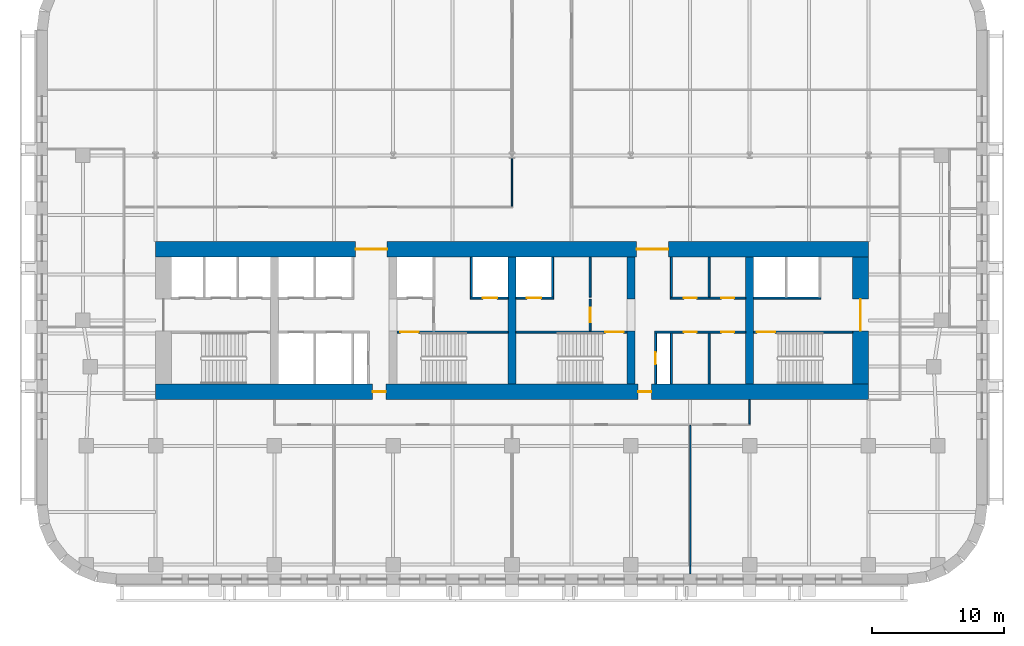
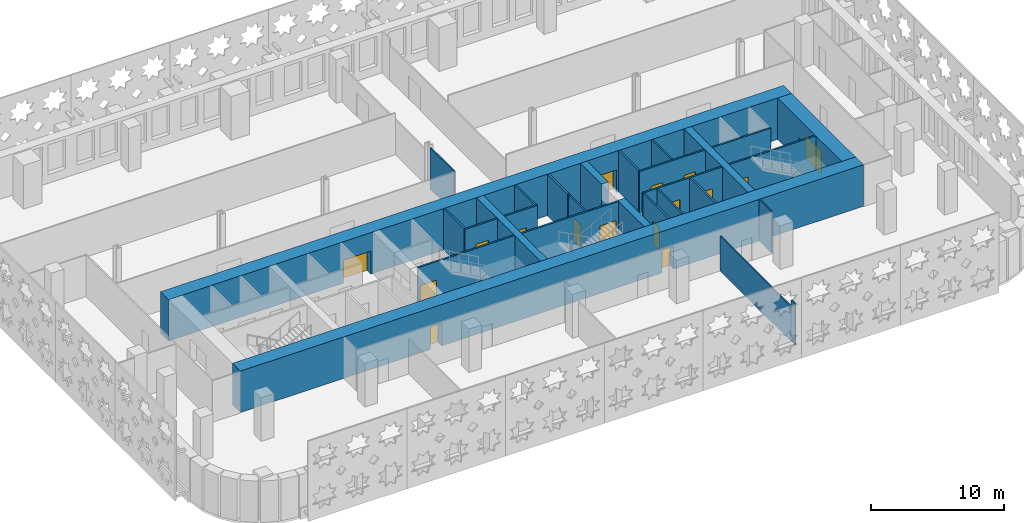
# One storey, part 6 of 15: 28 walls, 16 doors, 16 openings.
"""IFC4 building model written with IfcOpenShell, lengths in metres."""

from ifc_helpers import new_model, si_unit, direction, frame, frame_2d, origin, place, context, subcontext, project, spatial, rectangle, extrude, material, layer, layer_set, type_object, element, fill, save


model = new_model("IFC4")

# Units and contexts
model_context = context("Model", 3, precision=1e-05, world=origin(), true_north=direction((0.0, 1.0)))
body_context = subcontext(model_context, "Body", "Model", "MODEL_VIEW")
ifc_project = project(units=[si_unit("LENGTHUNIT", "METRE"), si_unit("AREAUNIT", "SQUARE_METRE"), si_unit("VOLUMEUNIT", "CUBIC_METRE"), si_unit("PLANEANGLEUNIT", "RADIAN"), si_unit("MASSUNIT", "GRAM", prefix="KILO")], contexts=[model_context])

# Site, building, storey
site_placement = place(None, origin())
site = spatial("IfcSite", under=ifc_project, at=site_placement, CompositionType="ELEMENT")
building_placement = place(site_placement, origin())
building = spatial("IfcBuilding", under=site, at=building_placement, Name="Zellij Exchange Tower", CompositionType="ELEMENT")
storey_placement = place(building_placement, frame((0.0, 0.0, 84.5)))
storey = spatial("IfcBuildingStorey", under=building, at=storey_placement, Name="L17", CompositionType="ELEMENT", Elevation=84.5)

# Walls
ifc_material_1 = material(Name="Concrete C70/85", Category="concrete")
ifc_layer_1 = layer(ifc_material_1, 0.60009765625)
ifc_layer_set_1 = layer_set([ifc_layer_1], Name="Concrete C70/85")
wall_type_1 = type_object("IfcWallType", Name="CORE-CW 600 C70/85", PredefinedType="SHEAR", material=ifc_layer_set_1)
wall_1_placement = place(storey_placement, frame((0.0, -12.800048828125, 0.0), z_axis=(0.0, 0.0, 1.0), x_axis=(0.0, 1.0, 0.0)))
element("IfcWall", 1, at=wall_1_placement, inside=storey, type_object=wall_type_1, Name="Core cross wall x 0 L17", PredefinedType="SHEAR", context=body_context, shape_type="SweptSolid", body=[
    extrude(rectangle(XDim=9.60009765625, YDim=0.60009765625, at=frame_2d((4.800048828125, 0.0))), origin(), (0.0, 0.0, 1.0), 3.800048828125),
])
wall_2_placement = place(storey_placement, frame((9.0, -12.800048828125, 0.0), z_axis=(0.0, 0.0, 1.0), x_axis=(0.0, 1.0, 0.0)))
element("IfcWall", 2, at=wall_2_placement, inside=storey, type_object=wall_type_1, Name="Core cross wall pier x 9 a L17", PredefinedType="SHEAR", context=body_context, shape_type="SweptSolid", body=[
    extrude(rectangle(XDim=4.0, YDim=0.60009765625, at=frame_2d((2.0, 0.0))), origin(), (0.0, 0.0, 1.0), 3.800048828125),
])
wall_3_placement = place(storey_placement, frame((9.0, -6.375, 0.0), z_axis=(0.0, 0.0, 1.0), x_axis=(0.0, 1.0, 0.0)))
element("IfcWall", 3, at=wall_3_placement, inside=storey, type_object=wall_type_1, Name="Core cross wall pier x 9 b L17", PredefinedType="SHEAR", context=body_context, shape_type="SweptSolid", body=[
    extrude(rectangle(XDim=3.175048828125, YDim=0.60009765625, at=frame_2d((1.58740234375, 0.0))), origin(), (0.0, 0.0, 1.0), 3.800048828125),
])
wall_4_placement = place(storey_placement, frame((18.0, -12.800048828125, 0.0), z_axis=(0.0, 0.0, 1.0), x_axis=(0.0, 1.0, 0.0)))
element("IfcWall", 4, at=wall_4_placement, inside=storey, type_object=wall_type_1, Name="Core cross wall x 18 L17", PredefinedType="SHEAR", context=body_context, shape_type="SweptSolid", body=[
    extrude(rectangle(XDim=9.60009765625, YDim=0.60009765625, at=frame_2d((4.800048828125, 0.0))), origin(), (0.0, 0.0, 1.0), 3.800048828125),
])

# Wall, opening, door
ifc_material_2 = material(Name="Gypsum shaft wall system")
ifc_layer_2 = layer(ifc_material_2, 0.14990234375)
ifc_layer_set_2 = layer_set([ifc_layer_2], Name="Gypsum shaft wall system")
wall_type_2 = type_object("IfcWallType", Name="CORE-PW 150 Firefighting lobby wall", PredefinedType="PARTITIONING", material=ifc_layer_set_2)
wall_5_placement = place(storey_placement, frame((5.925048828125, -8.800048828125, 0.0), z_axis=(0.0, 0.0, 1.0), x_axis=(0.0, 1.0, 0.0)))
wall_5 = element("IfcWall", 5, at=wall_5_placement, inside=storey, type_object=wall_type_2, Name="Firefighting lobby wall L17", PredefinedType="PARTITIONING", context=body_context, shape_type="SweptSolid", body=[
    extrude(rectangle(XDim=2.425048828125, YDim=0.14990234375, at=frame_2d((1.21240234375, 0.0))), origin(), (0.0, 0.0, 1.0), 3.800048828125),
])
opening_1_placement = place(wall_5_placement, frame((0.662109375, 0.0, 0.0)))
opening_1 = element("IfcOpeningElement", 6, at=opening_1_placement, cuts=wall_5, Name="Opening CA-09.18", PredefinedType="OPENING", context=body_context, shape_type="SweptSolid", body=[
    extrude(rectangle(XDim=1.10009765625, YDim=2.10009765625, at=frame_2d((0.550048828125, 1.050048828125))), frame((0.0, 0.0869140625, 0.0), z_axis=(0.0, -1.0, 0.0), x_axis=(1.0, 0.0, 0.0)), (0.0, 0.0, 1.0), 0.173828125),
])
ifc_material_3 = material(Name="Hollow metal fire door")
door_type_1 = type_object("IfcDoorType", Name="CORE-D F Firefighting lobby door 1100x2100 1 HR", OperationType="NOTDEFINED", PredefinedType="DOOR", material=ifc_material_3)
door_1_placement = place(opening_1_placement, origin())
door_1 = element("IfcDoor", 7, at=door_1_placement, inside=storey, type_object=door_type_1, Name="Firefighting lobby door CA-09.18", OperationType="SINGLE_SWING_RIGHT", OverallHeight=2.10009765625, OverallWidth=1.10009765625, PredefinedType="DOOR", context=body_context, shape_type="SweptSolid", body=[
    extrude(rectangle(XDim=1.10009765625, YDim=2.10009765625, at=frame_2d((0.550048828125, 1.050048828125))), frame((0.0, 0.02490234375, 0.0), z_axis=(0.0, -1.0, 0.0), x_axis=(1.0, 0.0, 0.0)), (0.0, 0.0, 1.0), 0.050048828125),
])
fill(opening_1, door_1)

# Walls
ifc_material_4 = material(Name="Gypsum board partition")
ifc_layer_3 = layer(ifc_material_4, 0.14990234375)
ifc_layer_set_3 = layer_set([ifc_layer_3], Name="Gypsum board partition")
wall_type_3 = type_object("IfcWallType", Name="CORE-PW 150 Lift lobby wall", PredefinedType="PARTITIONING", material=ifc_layer_set_3)
for number, where, z_axis, x_axis, name in (
    (8, (5.925048828125, -6.22509765625, 0.0), (0.0, 0.0, 1.0), (0.0, 1.0, 0.0), "Lift lobby wall L17"),
    (9, (12.074951171875, -6.22509765625, 0.0), (0.0, 0.0, 1.0), (0.0, 1.0, 0.0), "Lift lobby wall L17"),
    (10, (14.925048828125, -6.22509765625, 0.0), (0.0, 0.0, 1.0), (0.0, 1.0, 0.0), "Lift lobby wall L17"),
):
    element("IfcWall", number, at=place(storey_placement, frame(where, z_axis=z_axis, x_axis=x_axis)), inside=storey, type_object=wall_type_3, Name=name, PredefinedType="PARTITIONING", context=body_context, shape_type="SweptSolid", body=[
        extrude(rectangle(XDim=3.025146484375, YDim=0.14990234375, at=frame_2d((1.5126953125, 0.0))), origin(), (0.0, 0.0, 1.0), 3.800048828125),
    ])

# Wall, opening, door
wall_6_placement = place(storey_placement, frame((10.875, -12.800048828125, 0.0), z_axis=(0.0, 0.0, 1.0), x_axis=(0.0, 1.0, 0.0)))
wall_6 = element("IfcWall", 11, at=wall_6_placement, inside=storey, type_object=wall_type_3, Name="Lift lobby wall L17", PredefinedType="PARTITIONING", context=body_context, shape_type="SweptSolid", body=[
    extrude(rectangle(XDim=3.85009765625, YDim=0.14990234375, at=frame_2d((1.925048828125, 0.0))), origin(), (0.0, 0.0, 1.0), 3.800048828125),
])
opening_2_placement = place(wall_6_placement, frame((1.47509765625, 0.0, 0.0)))
opening_2 = element("IfcOpeningElement", 12, at=opening_2_placement, cuts=wall_6, Name="Opening CA-09.22", PredefinedType="OPENING", context=body_context, shape_type="SweptSolid", body=[
    extrude(rectangle(XDim=0.89990234375, YDim=2.10009765625, at=frame_2d((0.449951171875, 1.050048828125))), frame((0.0, 0.0869140625, 0.0), z_axis=(0.0, -1.0, 0.0), x_axis=(1.0, 0.0, 0.0)), (0.0, 0.0, 1.0), 0.173828125),
])
door_type_2 = type_object("IfcDoorType", Name="CORE-D RD Riser door 900x2100 1.5 HR", OperationType="NOTDEFINED", PredefinedType="DOOR", material=ifc_material_3)
door_2_placement = place(opening_2_placement, origin())
door_2 = element("IfcDoor", 13, at=door_2_placement, inside=storey, type_object=door_type_2, Name="Riser door CA-09.22", OperationType="SINGLE_SWING_LEFT", OverallHeight=2.10009765625, OverallWidth=0.89990234375, PredefinedType="DOOR", context=body_context, shape_type="SweptSolid", body=[
    extrude(rectangle(XDim=0.89990234375, YDim=2.10009765625, at=frame_2d((0.449951171875, 1.050048828125))), frame((0.0, 0.02490234375, 0.0), z_axis=(0.0, -1.0, 0.0), x_axis=(1.0, 0.0, 0.0)), (0.0, 0.0, 1.0), 0.050048828125),
])
fill(opening_2, door_2)

# Walls
for number, where, z_axis, x_axis, name in (
    (14, (12.074951171875, -12.800048828125, 0.0), (0.0, 0.0, 1.0), (0.0, 1.0, 0.0), "Lift lobby wall L17"),
    (15, (14.925048828125, -12.800048828125, 0.0), (0.0, 0.0, 1.0), (0.0, 1.0, 0.0), "Lift lobby wall L17"),
):
    element("IfcWall", number, at=place(storey_placement, frame(where, z_axis=z_axis, x_axis=x_axis)), inside=storey, type_object=wall_type_3, Name=name, PredefinedType="PARTITIONING", context=body_context, shape_type="SweptSolid", body=[
        extrude(rectangle(XDim=3.85009765625, YDim=0.14990234375, at=frame_2d((1.925048828125, 0.0))), origin(), (0.0, 0.0, 1.0), 3.800048828125),
    ])

# Wall, openings, doors
wall_7_placement = place(storey_placement, frame((12.0, -6.300048828125, 0.0), z_axis=(0.0, 0.0, 1.0), x_axis=(1.0, 0.0, 0.0)))
wall_7 = element("IfcWall", 16, at=wall_7_placement, inside=storey, type_object=wall_type_3, Name="Lift lobby wall L17", PredefinedType="PARTITIONING", context=body_context, shape_type="SweptSolid", body=[
    extrude(rectangle(XDim=5.699951171875, YDim=0.14990234375, at=frame_2d((2.85009765625, 0.0))), origin(), (0.0, 0.0, 1.0), 3.800048828125),
])
opening_3_placement = place(wall_7_placement, frame((1.0, 0.0, 0.0)))
opening_3 = element("IfcOpeningElement", 17, at=opening_3_placement, cuts=wall_7, Name="Opening CA-09.24", PredefinedType="OPENING", context=body_context, shape_type="SweptSolid", body=[
    extrude(rectangle(XDim=1.0, YDim=2.10009765625, at=frame_2d((0.5, 1.050048828125))), frame((0.0, 0.0869140625, 0.0), z_axis=(0.0, -1.0, 0.0), x_axis=(1.0, 0.0, 0.0)), (0.0, 0.0, 1.0), 0.173828125),
])
opening_4_placement = place(wall_7_placement, frame((3.85009765625, 0.0, 0.0)))
opening_4 = element("IfcOpeningElement", 18, at=opening_4_placement, cuts=wall_7, Name="Opening CA-09.26", PredefinedType="OPENING", context=body_context, shape_type="SweptSolid", body=[
    extrude(rectangle(XDim=1.0, YDim=2.10009765625, at=frame_2d((0.5, 1.050048828125))), frame((0.0, 0.0869140625, 0.0), z_axis=(0.0, -1.0, 0.0), x_axis=(1.0, 0.0, 0.0)), (0.0, 0.0, 1.0), 0.173828125),
])
door_type_3 = type_object("IfcDoorType", Name="CORE-D CD Core room door 1000x2100 1 HR", OperationType="NOTDEFINED", PredefinedType="DOOR", material=ifc_material_3)
door_3_placement = place(opening_3_placement, origin())
door_3 = element("IfcDoor", 19, at=door_3_placement, inside=storey, type_object=door_type_3, Name="Core room door CA-09.24", OperationType="SINGLE_SWING_LEFT", OverallHeight=2.10009765625, OverallWidth=1.0, PredefinedType="DOOR", context=body_context, shape_type="SweptSolid", body=[
    extrude(rectangle(XDim=1.0, YDim=2.10009765625, at=frame_2d((0.5, 1.050048828125))), frame((0.0, 0.02490234375, 0.0), z_axis=(0.0, -1.0, 0.0), x_axis=(1.0, 0.0, 0.0)), (0.0, 0.0, 1.0), 0.050048828125),
])
fill(opening_3, door_3)
door_4_placement = place(opening_4_placement, origin())
door_4 = element("IfcDoor", 20, at=door_4_placement, inside=storey, type_object=door_type_3, Name="Core room door CA-09.26", OperationType="SINGLE_SWING_RIGHT", OverallHeight=2.10009765625, OverallWidth=1.0, PredefinedType="DOOR", context=body_context, shape_type="SweptSolid", body=[
    extrude(rectangle(XDim=1.0, YDim=2.10009765625, at=frame_2d((0.5, 1.050048828125))), frame((0.0, 0.02490234375, 0.0), z_axis=(0.0, -1.0, 0.0), x_axis=(1.0, 0.0, 0.0)), (0.0, 0.0, 1.0), 0.050048828125),
])
fill(opening_4, door_4)

wall_8_placement = place(storey_placement, frame((10.800048828125, -8.875, 0.0), z_axis=(0.0, 0.0, 1.0), x_axis=(1.0, 0.0, 0.0)))
wall_8 = element("IfcWall", 21, at=wall_8_placement, inside=storey, type_object=wall_type_3, Name="Lift lobby wall L17", PredefinedType="PARTITIONING", context=body_context, shape_type="SweptSolid", body=[
    extrude(rectangle(XDim=6.89990234375, YDim=0.14990234375, at=frame_2d((3.449951171875, 0.0))), origin(), (0.0, 0.0, 1.0), 3.800048828125),
])
opening_5_placement = place(wall_8_placement, frame((2.199951171875, 0.0, 0.0)))
opening_5 = element("IfcOpeningElement", 22, at=opening_5_placement, cuts=wall_8, Name="Opening CA-09.23", PredefinedType="OPENING", context=body_context, shape_type="SweptSolid", body=[
    extrude(rectangle(XDim=1.0, YDim=2.10009765625, at=frame_2d((0.5, 1.050048828125))), frame((0.0, 0.0869140625, 0.0), z_axis=(0.0, -1.0, 0.0), x_axis=(1.0, 0.0, 0.0)), (0.0, 0.0, 1.0), 0.173828125),
])
opening_6_placement = place(wall_8_placement, frame((5.050048828125, 0.0, 0.0)))
opening_6 = element("IfcOpeningElement", 23, at=opening_6_placement, cuts=wall_8, Name="Opening CA-09.25", PredefinedType="OPENING", context=body_context, shape_type="SweptSolid", body=[
    extrude(rectangle(XDim=1.0, YDim=2.10009765625, at=frame_2d((0.5, 1.050048828125))), frame((0.0, 0.0869140625, 0.0), z_axis=(0.0, -1.0, 0.0), x_axis=(1.0, 0.0, 0.0)), (0.0, 0.0, 1.0), 0.173828125),
])
door_5_placement = place(opening_6_placement, origin())
door_5 = element("IfcDoor", 24, at=door_5_placement, inside=storey, type_object=door_type_3, Name="Core room door CA-09.25", OperationType="SINGLE_SWING_LEFT", OverallHeight=2.10009765625, OverallWidth=1.0, PredefinedType="DOOR", context=body_context, shape_type="SweptSolid", body=[
    extrude(rectangle(XDim=1.0, YDim=2.10009765625, at=frame_2d((0.5, 1.050048828125))), frame((0.0, 0.02490234375, 0.0), z_axis=(0.0, -1.0, 0.0), x_axis=(1.0, 0.0, 0.0)), (0.0, 0.0, 1.0), 0.050048828125),
])
fill(opening_6, door_5)
door_type_4 = type_object("IfcDoorType", Name="CORE-D CDA Core room door 1000x2100 1.5 HR", OperationType="NOTDEFINED", PredefinedType="DOOR", material=ifc_material_3)
door_6_placement = place(opening_5_placement, origin())
door_6 = element("IfcDoor", 25, at=door_6_placement, inside=storey, type_object=door_type_4, Name="Core room door CA-09.23", OperationType="SINGLE_SWING_RIGHT", OverallHeight=2.10009765625, OverallWidth=1.0, PredefinedType="DOOR", context=body_context, shape_type="SweptSolid", body=[
    extrude(rectangle(XDim=1.0, YDim=2.10009765625, at=frame_2d((0.5, 1.050048828125))), frame((0.0, 0.02490234375, 0.0), z_axis=(0.0, -1.0, 0.0), x_axis=(1.0, 0.0, 0.0)), (0.0, 0.0, 1.0), 0.050048828125),
])
fill(opening_5, door_6)

# Walls
ifc_layer_4 = layer(ifc_material_2, 0.14990234375)
ifc_layer_set_4 = layer_set([ifc_layer_4], Name="Gypsum shaft wall system")
wall_type_4 = type_object("IfcWallType", Name="CORE-PW 150 Lift shaft wall", PredefinedType="PARTITIONING", material=ifc_layer_set_4)
for number, where, z_axis, x_axis, name in (
    (26, (-3.074951171875, -6.22509765625, 0.0), (0.0, 0.0, 1.0), (0.0, 1.0, 0.0), "Lift shaft wall L17"),
    (27, (3.074951171875, -6.22509765625, 0.0), (0.0, 0.0, 1.0), (0.0, 1.0, 0.0), "Lift shaft wall L17"),
):
    element("IfcWall", number, at=place(storey_placement, frame(where, z_axis=z_axis, x_axis=x_axis)), inside=storey, type_object=wall_type_4, Name=name, PredefinedType="PARTITIONING", context=body_context, shape_type="SweptSolid", body=[
        extrude(rectangle(XDim=3.025146484375, YDim=0.14990234375, at=frame_2d((1.5126953125, 0.0))), origin(), (0.0, 0.0, 1.0), 3.800048828125),
    ])

# Wall, opening, door
wall_9_placement = place(storey_placement, frame((-3.14990234375, -6.300048828125, 0.0), z_axis=(0.0, 0.0, 1.0), x_axis=(1.0, 0.0, 0.0)))
wall_9 = element("IfcWall", 28, at=wall_9_placement, inside=storey, type_object=wall_type_4, Name="Lift shaft wall L17", PredefinedType="PARTITIONING", context=body_context, shape_type="SweptSolid", body=[
    extrude(rectangle(XDim=2.849853515625, YDim=0.14990234375, at=frame_2d((1.4248046875, 0.0))), origin(), (0.0, 0.0, 1.0), 3.800048828125),
])
opening_7_placement = place(wall_9_placement, frame((0.949951171875, 0.0, 0.0)))
opening_7 = element("IfcOpeningElement", 29, at=opening_7_placement, cuts=wall_9, Name="Opening CA-09.16", PredefinedType="OPENING", context=body_context, shape_type="SweptSolid", body=[
    extrude(rectangle(XDim=1.10009765625, YDim=2.10009765625, at=frame_2d((0.550048828125, 1.050048828125))), frame((0.0, 0.0869140625, 0.0), z_axis=(0.0, -1.0, 0.0), x_axis=(1.0, 0.0, 0.0)), (0.0, 0.0, 1.0), 0.173828125),
])
door_type_5 = type_object("IfcDoorType", Name="CORE-D LD Lift landing door 1100x2100 1.5 HR", OperationType="NOTDEFINED", PredefinedType="DOOR", material=ifc_material_3)
door_7_placement = place(opening_7_placement, origin())
door_7 = element("IfcDoor", 30, at=door_7_placement, inside=storey, type_object=door_type_5, Name="Lift landing door CA-09.16", OperationType="SLIDING_TO_RIGHT", OverallHeight=2.10009765625, OverallWidth=1.10009765625, PredefinedType="DOOR", context=body_context, shape_type="SweptSolid", body=[
    extrude(rectangle(XDim=1.10009765625, YDim=2.10009765625, at=frame_2d((0.550048828125, 1.050048828125))), frame((0.0, 0.02490234375, 0.0), z_axis=(0.0, -1.0, 0.0), x_axis=(1.0, 0.0, 0.0)), (0.0, 0.0, 1.0), 0.050048828125),
])
fill(opening_7, door_7)

wall_10_placement = place(storey_placement, frame((0.300048828125, -6.300048828125, 0.0), z_axis=(0.0, 0.0, 1.0), x_axis=(1.0, 0.0, 0.0)))
wall_10 = element("IfcWall", 31, at=wall_10_placement, inside=storey, type_object=wall_type_4, Name="Lift shaft wall L17", PredefinedType="PARTITIONING", context=body_context, shape_type="SweptSolid", body=[
    extrude(rectangle(XDim=2.849853515625, YDim=0.14990234375, at=frame_2d((1.4248046875, 0.0))), origin(), (0.0, 0.0, 1.0), 3.800048828125),
])
opening_8_placement = place(wall_10_placement, frame((0.800048828125, 0.0, 0.0)))
opening_8 = element("IfcOpeningElement", 32, at=opening_8_placement, cuts=wall_10, Name="Opening CA-09.17", PredefinedType="OPENING", context=body_context, shape_type="SweptSolid", body=[
    extrude(rectangle(XDim=1.10009765625, YDim=2.10009765625, at=frame_2d((0.550048828125, 1.050048828125))), frame((0.0, 0.0869140625, 0.0), z_axis=(0.0, -1.0, 0.0), x_axis=(1.0, 0.0, 0.0)), (0.0, 0.0, 1.0), 0.173828125),
])
door_8_placement = place(opening_8_placement, origin())
door_8 = element("IfcDoor", 33, at=door_8_placement, inside=storey, type_object=door_type_5, Name="Lift landing door CA-09.17", OperationType="SLIDING_TO_LEFT", OverallHeight=2.10009765625, OverallWidth=1.10009765625, PredefinedType="DOOR", context=body_context, shape_type="SweptSolid", body=[
    extrude(rectangle(XDim=1.10009765625, YDim=2.10009765625, at=frame_2d((0.550048828125, 1.050048828125))), frame((0.0, 0.02490234375, 0.0), z_axis=(0.0, -1.0, 0.0), x_axis=(1.0, 0.0, 0.0)), (0.0, 0.0, 1.0), 0.050048828125),
])
fill(opening_8, door_8)

# Wall
wall_11_placement = place(storey_placement, frame((18.300048828125, -6.300048828125, 0.0), z_axis=(0.0, 0.0, 1.0), x_axis=(1.0, 0.0, 0.0)))
element("IfcWall", 34, at=wall_11_placement, inside=storey, type_object=wall_type_4, Name="Lift shaft wall L17", PredefinedType="PARTITIONING", context=body_context, shape_type="SweptSolid", body=[
    extrude(rectangle(XDim=5.099853515625, YDim=0.14990234375, at=frame_2d((2.5498046875, 0.0))), origin(), (0.0, 0.0, 1.0), 3.800048828125),
])

# Wall, openings, doors
ifc_layer_5 = layer(ifc_material_1, 1.199951171875)
ifc_layer_set_5 = layer_set([ifc_layer_5], Name="Concrete C70/85")
wall_type_5 = type_object("IfcWallType", Name="CORE-SW 1200 C70/85", PredefinedType="SHEAR", material=ifc_layer_set_5)
wall_12_placement = place(storey_placement, frame((-27.0, -2.60009765625, 0.0), z_axis=(0.0, 0.0, 1.0), x_axis=(1.0, 0.0, 0.0)))
wall_12 = element("IfcWall", 35, at=wall_12_placement, inside=storey, type_object=wall_type_5, Name="Core shear wall front L17", PredefinedType="SHEAR", context=body_context, shape_type="SweptSolid", body=[
    extrude(rectangle(XDim=54.0, YDim=1.199951171875, at=frame_2d((27.0, 0.0))), origin(), (0.0, 0.0, 1.0), 3.800048828125),
])
opening_9_placement = place(wall_12_placement, frame((15.14990234375, 0.0, 0.0)))
opening_9 = element("IfcOpeningElement", 36, at=opening_9_placement, cuts=wall_12, Name="Opening CA-09.11", PredefinedType="OPENING", context=body_context, shape_type="SweptSolid", body=[
    extrude(rectangle(XDim=2.39990234375, YDim=2.10009765625, at=frame_2d((1.199951171875, 1.050048828125))), frame((0.0, 0.61181640625, 0.0), z_axis=(0.0, -1.0, 0.0), x_axis=(1.0, 0.0, 0.0)), (0.0, 0.0, 1.0), 1.223876953125),
])
opening_10_placement = place(wall_12_placement, frame((36.449951171875, 0.0, 0.0)))
opening_10 = element("IfcOpeningElement", 37, at=opening_10_placement, cuts=wall_12, Name="Opening CA-09.21", PredefinedType="OPENING", context=body_context, shape_type="SweptSolid", body=[
    extrude(rectangle(XDim=2.39990234375, YDim=2.10009765625, at=frame_2d((1.199951171875, 1.050048828125))), frame((0.0, 0.61181640625, 0.0), z_axis=(0.0, -1.0, 0.0), x_axis=(1.0, 0.0, 0.0)), (0.0, 0.0, 1.0), 1.223876953125),
])
door_type_6 = type_object("IfcDoorType", Name="CORE-D CE Core entrance door 2400x2100 20 MIN", OperationType="NOTDEFINED", PredefinedType="DOOR", material=ifc_material_3)
door_9_placement = place(opening_9_placement, origin())
door_9 = element("IfcDoor", 38, at=door_9_placement, inside=storey, type_object=door_type_6, Name="Core entrance door CA-09.11", OperationType="DOUBLE_DOOR_SINGLE_SWING", OverallHeight=2.10009765625, OverallWidth=2.39990234375, PredefinedType="DOOR", context=body_context, shape_type="SweptSolid", body=[
    extrude(rectangle(XDim=2.39990234375, YDim=2.10009765625, at=frame_2d((1.199951171875, 1.050048828125))), frame((0.0, 0.02490234375, 0.0), z_axis=(0.0, -1.0, 0.0), x_axis=(1.0, 0.0, 0.0)), (0.0, 0.0, 1.0), 0.050048828125),
])
fill(opening_9, door_9)
door_10_placement = place(opening_10_placement, origin())
door_10 = element("IfcDoor", 39, at=door_10_placement, inside=storey, type_object=door_type_6, Name="Core entrance door CA-09.21", OperationType="DOUBLE_DOOR_SINGLE_SWING", OverallHeight=2.10009765625, OverallWidth=2.39990234375, PredefinedType="DOOR", context=body_context, shape_type="SweptSolid", body=[
    extrude(rectangle(XDim=2.39990234375, YDim=2.10009765625, at=frame_2d((1.199951171875, 1.050048828125))), frame((0.0, 0.02490234375, 0.0), z_axis=(0.0, -1.0, 0.0), x_axis=(1.0, 0.0, 0.0)), (0.0, 0.0, 1.0), 0.050048828125),
])
fill(opening_10, door_10)

wall_13_placement = place(storey_placement, frame((-27.0, -13.39990234375, 0.0), z_axis=(0.0, 0.0, 1.0), x_axis=(1.0, 0.0, 0.0)))
wall_13 = element("IfcWall", 40, at=wall_13_placement, inside=storey, type_object=wall_type_5, Name="Core shear wall rear L17", PredefinedType="SHEAR", context=body_context, shape_type="SweptSolid", body=[
    extrude(rectangle(XDim=54.0, YDim=1.199951171875, at=frame_2d((27.0, 0.0))), origin(), (0.0, 0.0, 1.0), 3.800048828125),
])
opening_11_placement = place(wall_13_placement, frame((16.449951171875, 0.0, 0.0)))
opening_11 = element("IfcOpeningElement", 41, at=opening_11_placement, cuts=wall_13, Name="Opening CA-09.12", PredefinedType="OPENING", context=body_context, shape_type="SweptSolid", body=[
    extrude(rectangle(XDim=1.0, YDim=2.10009765625, at=frame_2d((0.5, 1.050048828125))), frame((0.0, 0.61181640625, 0.0), z_axis=(0.0, -1.0, 0.0), x_axis=(1.0, 0.0, 0.0)), (0.0, 0.0, 1.0), 1.223876953125),
])
opening_12_placement = place(wall_13_placement, frame((36.550048828125, 0.0, 0.0)))
opening_12 = element("IfcOpeningElement", 42, at=opening_12_placement, cuts=wall_13, Name="Opening CA-09.20", PredefinedType="OPENING", context=body_context, shape_type="SweptSolid", body=[
    extrude(rectangle(XDim=1.0, YDim=2.10009765625, at=frame_2d((0.5, 1.050048828125))), frame((0.0, 0.61181640625, 0.0), z_axis=(0.0, -1.0, 0.0), x_axis=(1.0, 0.0, 0.0)), (0.0, 0.0, 1.0), 1.223876953125),
])
door_type_7 = type_object("IfcDoorType", Name="CORE-D CR Core rear door 1000x2100 20 MIN", OperationType="NOTDEFINED", PredefinedType="DOOR", material=ifc_material_3)
door_11_placement = place(opening_11_placement, origin())
door_11 = element("IfcDoor", 43, at=door_11_placement, inside=storey, type_object=door_type_7, Name="Core rear door CA-09.12", OperationType="SINGLE_SWING_RIGHT", OverallHeight=2.10009765625, OverallWidth=1.0, PredefinedType="DOOR", context=body_context, shape_type="SweptSolid", body=[
    extrude(rectangle(XDim=1.0, YDim=2.10009765625, at=frame_2d((0.5, 1.050048828125))), frame((0.0, 0.02490234375, 0.0), z_axis=(0.0, -1.0, 0.0), x_axis=(1.0, 0.0, 0.0)), (0.0, 0.0, 1.0), 0.050048828125),
])
fill(opening_11, door_11)
door_12_placement = place(opening_12_placement, origin())
door_12 = element("IfcDoor", 44, at=door_12_placement, inside=storey, type_object=door_type_7, Name="Core rear door CA-09.20", OperationType="SINGLE_SWING_LEFT", OverallHeight=2.10009765625, OverallWidth=1.0, PredefinedType="DOOR", context=body_context, shape_type="SweptSolid", body=[
    extrude(rectangle(XDim=1.0, YDim=2.10009765625, at=frame_2d((0.5, 1.050048828125))), frame((0.0, 0.02490234375, 0.0), z_axis=(0.0, -1.0, 0.0), x_axis=(1.0, 0.0, 0.0)), (0.0, 0.0, 1.0), 0.050048828125),
])
fill(opening_12, door_12)

# Wall, opening, door
wall_14_placement = place(storey_placement, frame((26.39990234375, -12.800048828125, 0.0), z_axis=(0.0, 0.0, 1.0), x_axis=(0.0, 1.0, 0.0)))
wall_14 = element("IfcWall", 45, at=wall_14_placement, inside=storey, type_object=wall_type_5, Name="Core shear wall end e L17", PredefinedType="SHEAR", context=body_context, shape_type="SweptSolid", body=[
    extrude(rectangle(XDim=9.60009765625, YDim=1.199951171875, at=frame_2d((4.800048828125, 0.0))), origin(), (0.0, 0.0, 1.0), 3.800048828125),
])
opening_13_placement = place(wall_14_placement, frame((4.011962890625, 0.0, 0.0)))
opening_13 = element("IfcOpeningElement", 46, at=opening_13_placement, cuts=wall_14, Name="Opening CA-09.28", PredefinedType="OPENING", context=body_context, shape_type="SweptSolid", body=[
    extrude(rectangle(XDim=2.39990234375, YDim=2.10009765625, at=frame_2d((1.199951171875, 1.050048828125))), frame((0.0, 0.61181640625, 0.0), z_axis=(0.0, -1.0, 0.0), x_axis=(1.0, 0.0, 0.0)), (0.0, 0.0, 1.0), 1.223876953125),
])
door_13_placement = place(opening_13_placement, origin())
door_13 = element("IfcDoor", 47, at=door_13_placement, inside=storey, type_object=door_type_6, Name="Core entrance door CA-09.28", OperationType="DOUBLE_DOOR_SINGLE_SWING", OverallHeight=2.10009765625, OverallWidth=2.39990234375, PredefinedType="DOOR", context=body_context, shape_type="SweptSolid", body=[
    extrude(rectangle(XDim=2.39990234375, YDim=2.10009765625, at=frame_2d((1.199951171875, 1.050048828125))), frame((0.0, 0.02490234375, 0.0), z_axis=(0.0, -1.0, 0.0), x_axis=(1.0, 0.0, 0.0)), (0.0, 0.0, 1.0), 0.050048828125),
])
fill(opening_13, door_13)

ifc_layer_6 = layer(ifc_material_1, 0.14990234375)
ifc_layer_set_6 = layer_set([ifc_layer_6], Name="Concrete C70/85")
wall_type_6 = type_object("IfcWallType", Name="CORE-SWS 150 C70/85", PredefinedType="SHEAR", material=ifc_layer_set_6)
wall_15_placement = place(storey_placement, frame((-8.699951171875, -8.875, 0.0), z_axis=(0.0, 0.0, 1.0), x_axis=(1.0, 0.0, 0.0)))
wall_15 = element("IfcWall", 48, at=wall_15_placement, inside=storey, type_object=wall_type_6, Name="Stair enclosure wall L17", PredefinedType="SHEAR", context=body_context, shape_type="SweptSolid", body=[
    extrude(rectangle(XDim=8.39990234375, YDim=0.14990234375, at=frame_2d((4.199951171875, 0.0))), origin(), (0.0, 0.0, 1.0), 3.800048828125),
])
opening_14_placement = place(wall_15_placement, frame((0.22509765625, 0.0, 0.0)))
opening_14 = element("IfcOpeningElement", 49, at=opening_14_placement, cuts=wall_15, Name="Opening CA-09.13", PredefinedType="OPENING", context=body_context, shape_type="SweptSolid", body=[
    extrude(rectangle(XDim=1.39990234375, YDim=2.10009765625, at=frame_2d((0.699951171875, 1.050048828125))), frame((0.0, 0.0869140625, 0.0), z_axis=(0.0, -1.0, 0.0), x_axis=(1.0, 0.0, 0.0)), (0.0, 0.0, 1.0), 0.173828125),
])
door_type_8 = type_object("IfcDoorType", Name="CORE-D SD Stair door 1400x2100 1.5 HR", OperationType="NOTDEFINED", PredefinedType="DOOR", material=ifc_material_3)
door_14_placement = place(opening_14_placement, origin())
door_14 = element("IfcDoor", 50, at=door_14_placement, inside=storey, type_object=door_type_8, Name="Stair door CA-09.13", OperationType="DOUBLE_DOOR_SINGLE_SWING", OverallHeight=2.10009765625, OverallWidth=1.39990234375, PredefinedType="DOOR", context=body_context, shape_type="SweptSolid", body=[
    extrude(rectangle(XDim=1.39990234375, YDim=2.10009765625, at=frame_2d((0.699951171875, 1.050048828125))), frame((0.0, 0.02490234375, 0.0), z_axis=(0.0, -1.0, 0.0), x_axis=(1.0, 0.0, 0.0)), (0.0, 0.0, 1.0), 0.050048828125),
])
fill(opening_14, door_14)

wall_16_placement = place(storey_placement, frame((0.300048828125, -8.875, 0.0), z_axis=(0.0, 0.0, 1.0), x_axis=(1.0, 0.0, 0.0)))
wall_16 = element("IfcWall", 51, at=wall_16_placement, inside=storey, type_object=wall_type_6, Name="Stair enclosure wall L17", PredefinedType="SHEAR", context=body_context, shape_type="SweptSolid", body=[
    extrude(rectangle(XDim=8.39990234375, YDim=0.14990234375, at=frame_2d((4.199951171875, 0.0))), origin(), (0.0, 0.0, 1.0), 3.800048828125),
])
opening_15_placement = place(wall_16_placement, frame((6.77490234375, 0.0, 0.0)))
opening_15 = element("IfcOpeningElement", 52, at=opening_15_placement, cuts=wall_16, Name="Opening CA-09.19", PredefinedType="OPENING", context=body_context, shape_type="SweptSolid", body=[
    extrude(rectangle(XDim=1.39990234375, YDim=2.10009765625, at=frame_2d((0.699951171875, 1.050048828125))), frame((0.0, 0.0869140625, 0.0), z_axis=(0.0, -1.0, 0.0), x_axis=(1.0, 0.0, 0.0)), (0.0, 0.0, 1.0), 0.173828125),
])
door_15_placement = place(opening_15_placement, origin())
door_15 = element("IfcDoor", 53, at=door_15_placement, inside=storey, type_object=door_type_8, Name="Stair door CA-09.19", OperationType="DOUBLE_DOOR_SINGLE_SWING", OverallHeight=2.10009765625, OverallWidth=1.39990234375, PredefinedType="DOOR", context=body_context, shape_type="SweptSolid", body=[
    extrude(rectangle(XDim=1.39990234375, YDim=2.10009765625, at=frame_2d((0.699951171875, 1.050048828125))), frame((0.0, 0.02490234375, 0.0), z_axis=(0.0, -1.0, 0.0), x_axis=(1.0, 0.0, 0.0)), (0.0, 0.0, 1.0), 0.050048828125),
])
fill(opening_15, door_15)

wall_17_placement = place(storey_placement, frame((18.300048828125, -8.875, 0.0), z_axis=(0.0, 0.0, 1.0), x_axis=(1.0, 0.0, 0.0)))
wall_17 = element("IfcWall", 54, at=wall_17_placement, inside=storey, type_object=wall_type_6, Name="Stair enclosure wall L17", PredefinedType="SHEAR", context=body_context, shape_type="SweptSolid", body=[
    extrude(rectangle(XDim=7.5, YDim=0.14990234375, at=frame_2d((3.75, 0.0))), origin(), (0.0, 0.0, 1.0), 3.800048828125),
])
opening_16_placement = place(wall_17_placement, frame((0.22509765625, 0.0, 0.0)))
opening_16 = element("IfcOpeningElement", 55, at=opening_16_placement, cuts=wall_17, Name="Opening CA-09.27", PredefinedType="OPENING", context=body_context, shape_type="SweptSolid", body=[
    extrude(rectangle(XDim=1.39990234375, YDim=2.10009765625, at=frame_2d((0.699951171875, 1.050048828125))), frame((0.0, 0.0869140625, 0.0), z_axis=(0.0, -1.0, 0.0), x_axis=(1.0, 0.0, 0.0)), (0.0, 0.0, 1.0), 0.173828125),
])
door_16_placement = place(opening_16_placement, origin())
door_16 = element("IfcDoor", 56, at=door_16_placement, inside=storey, type_object=door_type_8, Name="Stair door CA-09.27", OperationType="DOUBLE_DOOR_SINGLE_SWING", OverallHeight=2.10009765625, OverallWidth=1.39990234375, PredefinedType="DOOR", context=body_context, shape_type="SweptSolid", body=[
    extrude(rectangle(XDim=1.39990234375, YDim=2.10009765625, at=frame_2d((0.699951171875, 1.050048828125))), frame((0.0, 0.02490234375, 0.0), z_axis=(0.0, -1.0, 0.0), x_axis=(1.0, 0.0, 0.0)), (0.0, 0.0, 1.0), 0.050048828125),
])
fill(opening_16, door_16)

# Walls
ifc_material_5 = material(Name="Gypsum board partition on steel studs", Category="steel")
ifc_layer_7 = layer(ifc_material_5, 0.10009765625)
ifc_layer_set_7 = layer_set([ifc_layer_7], Name="Gypsum board partition on steel studs")
wall_type_7 = type_object("IfcWallType", Name="FIT-PARTITION-100", PredefinedType="PARTITIONING", material=ifc_layer_set_7)
wall_18_placement = place(storey_placement, frame((13.5, -27.199951171875, 0.0), z_axis=(0.0, 0.0, 1.0), x_axis=(0.0, 1.0, 0.0)))
element("IfcWall", 57, at=wall_18_placement, inside=storey, type_object=wall_type_7, Name="FIT-PARTITION-100 005", PredefinedType="PARTITIONING", context=body_context, shape_type="SweptSolid", body=[
    extrude(rectangle(XDim=0.58544921875, YDim=0.10009765625, at=frame_2d((0.292724609375, 0.0))), origin(), (0.0, 0.0, 1.0), 3.800048828125),
])
wall_19_placement = place(storey_placement, frame((13.5, -26.614501953125, 0.0), z_axis=(0.0, 0.0, 1.0), x_axis=(0.0, 1.0, 0.0)))
element("IfcWall", 58, at=wall_19_placement, inside=storey, type_object=wall_type_7, Name="FIT-PARTITION-100 006", PredefinedType="PARTITIONING", context=body_context, shape_type="SweptSolid", body=[
    extrude(rectangle(XDim=10.66455078125, YDim=0.10009765625, at=frame_2d((5.332275390625, 0.0))), origin(), (0.0, 0.0, 1.0), 3.197998046875),
])
wall_20_placement = place(storey_placement, frame((18.0, -15.85009765625, 0.0), z_axis=(0.0, 0.0, 1.0), x_axis=(0.0, 1.0, 0.0)))
element("IfcWall", 59, at=wall_20_placement, inside=storey, type_object=wall_type_7, Name="FIT-PARTITION-100 009", PredefinedType="PARTITIONING", context=body_context, shape_type="SweptSolid", body=[
    extrude(rectangle(XDim=1.85009765625, YDim=0.10009765625, at=frame_2d((0.925048828125, 0.0))), origin(), (0.0, 0.0, 1.0), 3.800048828125),
])
wall_21_placement = place(storey_placement, frame((0.0, 0.64990234375, 0.0), z_axis=(0.0, 0.0, 1.0), x_axis=(0.0, 1.0, 0.0)))
element("IfcWall", 60, at=wall_21_placement, inside=storey, type_object=wall_type_7, Name="FIT-PARTITION-100 022", PredefinedType="PARTITIONING", context=body_context, shape_type="SweptSolid", body=[
    extrude(rectangle(XDim=3.60107421875, YDim=0.10009765625, at=frame_2d((1.800537109375, 0.0))), origin(), (0.0, 0.0, 1.0), 3.800048828125),
])

save(model, "model.ifc")
